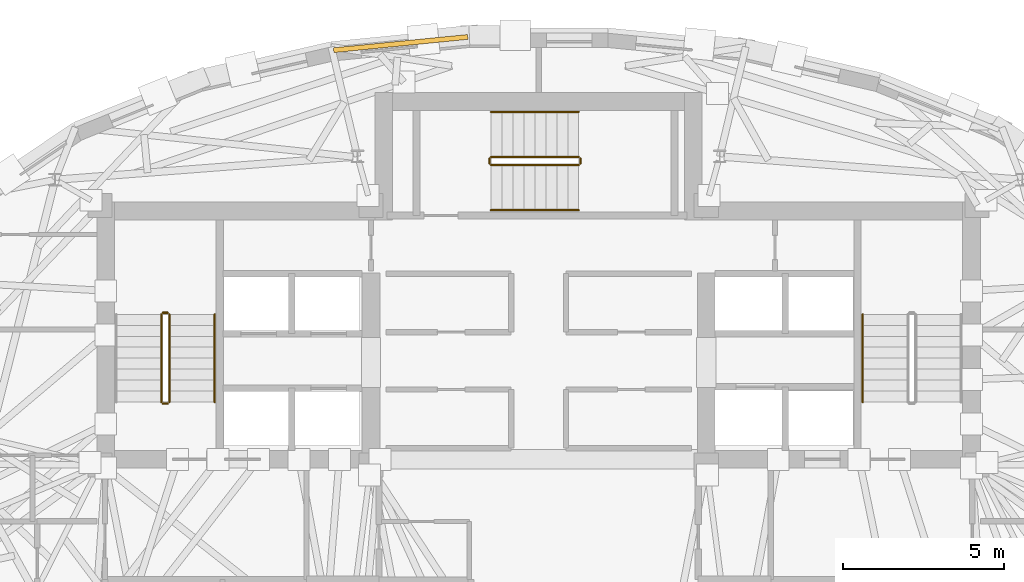
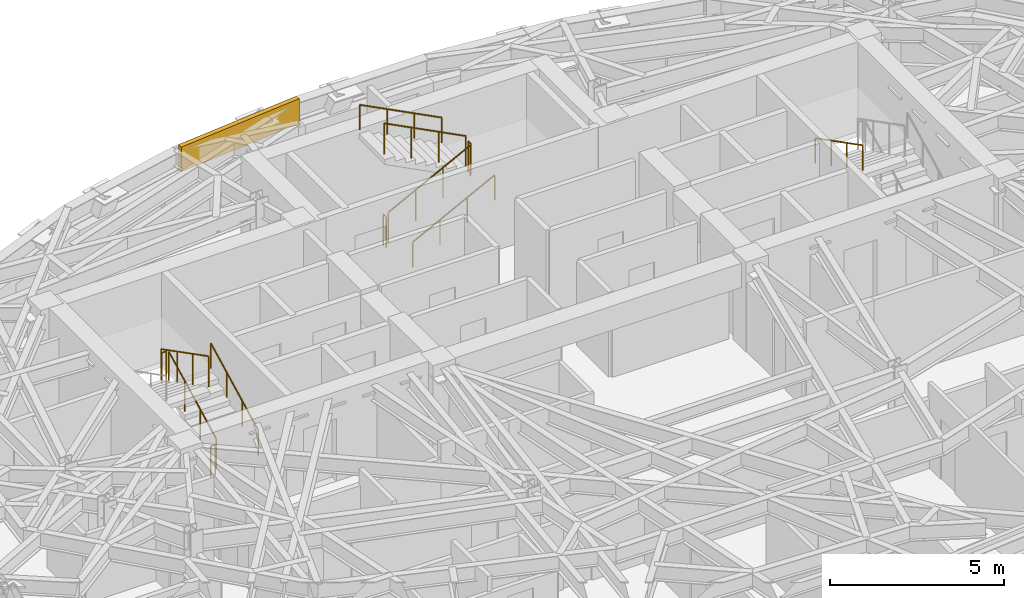
# One storey, part 12 of 13: 12 railings, 1 covering.
"""IFC4 building model written with IfcOpenShell, lengths in metres."""

from ifc_helpers import new_model, si_unit, direction, frame, origin, origin_2d, place, context, subcontext, project, spatial, rectangle, circle, extrude, material, layer, layer_set, type_object, element, save


model = new_model("IFC4")

# Units and contexts
model_context = context("Model", 3, precision=1e-05, world=origin(), true_north=direction((0.0, 1.0)))
body_context = subcontext(model_context, "Body", "Model", "MODEL_VIEW")
ifc_project = project(units=[si_unit("LENGTHUNIT", "METRE"), si_unit("AREAUNIT", "SQUARE_METRE"), si_unit("VOLUMEUNIT", "CUBIC_METRE"), si_unit("PLANEANGLEUNIT", "RADIAN"), si_unit("MASSUNIT", "GRAM", prefix="KILO")], contexts=[model_context])

# Site, building, storey
site_placement = place(None, origin())
site = spatial("IfcSite", under=ifc_project, at=site_placement, CompositionType="ELEMENT")
building_placement = place(site_placement, origin())
building = spatial("IfcBuilding", under=site, at=building_placement, Name="Keldmark Tower", CompositionType="ELEMENT")
storey_placement = place(building_placement, frame((0.0, 0.0, 235.199951171875)))
storey = spatial("IfcBuildingStorey", under=building, at=storey_placement, Name="L66", CompositionType="ELEMENT", Elevation=235.199951171875)

# Covering
ifc_material_1 = material(Name="Honed Kasota Buff Dolomitic Limestone", Category="masonry")
ifc_layer = layer(ifc_material_1, 0.074951171875)
ifc_layer_set = layer_set([ifc_layer], Name="Honed Kasota Buff Dolomitic Limestone")
covering_type = type_object("IfcCoveringType", Name="Kasota Buff Limestone Spandrel Cladding Band", PredefinedType="CLADDING", material=ifc_layer_set)
covering_placement = place(storey_placement, frame((-4.276123046875, 14.467529296875, 2.260009765625), z_axis=(0.0, 0.0, 1.0), x_axis=(-0.995131548634, -0.098555572711, 0.0)))
element("IfcCovering", 1, at=covering_placement, inside=storey, type_object=covering_type, Name="L66 Kasota Limestone Spandrel Band 09", PredefinedType="CLADDING", context=body_context, shape_type="SweptSolid", body=[
    extrude(rectangle(XDim=4.17919921875, YDim=0.14990234375, at=origin_2d()), origin(), (0.0, 0.0, 1.0), 0.8701171875),
])

# Railings
ifc_material_2 = material(Name="Painted Steel ASTM A500 Grade B", Category="steel")
railing_type_1 = type_object("IfcRailingType", Name="Painted Steel Stair Well Guard 1100 mm", PredefinedType="GUARDRAIL", material=ifc_material_2)
railing_1_placement = place(storey_placement, frame((-11.449951171875, 3.35009765625, 0.175048828125)))
element("IfcRailing", 2, at=railing_1_placement, inside=storey, type_object=railing_type_1, Name="L66 ST1 stair guard 1", PredefinedType="GUARDRAIL", context=body_context, shape_type="SweptSolid", body=[
    extrude(circle(Radius=0.02392578125, at=origin_2d()), frame((0.0, 0.0, 1.076171875), z_axis=(0.0, 0.889146794209, 0.457622091194), x_axis=(-1.0, 0.0, 0.0)), (0.0, 0.0, 1.0), 3.05908203125),
    extrude(circle(Radius=0.02099609375, at=origin_2d()), origin(), (0.0, 0.0, 1.0), 1.052001953125),
    extrude(circle(Radius=0.02099609375, at=origin_2d()), frame((0.0, 0.90673828125, 0.466552734375)), (0.0, 0.0, 1.0), 1.052001953125),
    extrude(circle(Radius=0.02099609375, at=origin_2d()), frame((0.0, 1.813232421875, 0.933349609375)), (0.0, 0.0, 1.0), 1.052001953125),
    extrude(circle(Radius=0.02099609375, at=origin_2d()), frame((0.0, 2.719970703125, 1.39990234375)), (0.0, 0.0, 1.0), 1.052001953125),
])
railing_2_placement = place(storey_placement, frame((-11.5, 6.1201171875, 1.574951171875)))
element("IfcRailing", 3, at=railing_2_placement, inside=storey, type_object=railing_type_1, Name="L66 ST1 stair guard 2", PredefinedType="GUARDRAIL", context=body_context, shape_type="SweptSolid", body=[
    extrude(circle(Radius=0.02392578125, at=origin_2d()), frame((0.0, 0.0, 1.076171875), z_axis=(-1.0, 0.0, 0.0), x_axis=(0.0, -1.0, 0.0)), (0.0, 0.0, 1.0), 0.14990234375),
    extrude(circle(Radius=0.02099609375, at=origin_2d()), origin(), (0.0, 0.0, 1.0), 1.052001953125),
    extrude(circle(Radius=0.02099609375, at=origin_2d()), frame((-0.14990234375, 0.0, 0.0)), (0.0, 0.0, 1.0), 1.052001953125),
])
railing_3_placement = place(storey_placement, frame((-11.699951171875, 6.070068359375, 1.75)))
element("IfcRailing", 4, at=railing_3_placement, inside=storey, type_object=railing_type_1, Name="L66 ST1 stair guard 3", PredefinedType="GUARDRAIL", context=body_context, shape_type="SweptSolid", body=[
    extrude(circle(Radius=0.02392578125, at=origin_2d()), frame((0.0, 0.0, 1.076171875), z_axis=(0.0, -0.889114319608, 0.457685182924), x_axis=(1.0, 0.0, 0.0)), (0.0, 0.0, 1.0), 3.05908203125),
    extrude(circle(Radius=0.02099609375, at=origin_2d()), origin(), (0.0, 0.0, 1.0), 1.052001953125),
    extrude(circle(Radius=0.02099609375, at=origin_2d()), frame((0.0, -0.90673828125, 0.466796875)), (0.0, 0.0, 1.0), 1.052001953125),
    extrude(circle(Radius=0.02099609375, at=origin_2d()), frame((0.0, -1.813232421875, 0.933349609375)), (0.0, 0.0, 1.0), 1.052001953125),
    extrude(circle(Radius=0.02099609375, at=origin_2d()), frame((0.0, -2.719970703125, 1.400146484375)), (0.0, 0.0, 1.0), 1.052001953125),
])
railing_4_placement = place(storey_placement, frame((-11.5, 3.300048828125, 0.0)))
element("IfcRailing", 5, at=railing_4_placement, inside=storey, type_object=railing_type_1, Name="L66 ST1 stair guard 4", PredefinedType="GUARDRAIL", context=body_context, shape_type="SweptSolid", body=[
    extrude(circle(Radius=0.02392578125, at=origin_2d()), frame((0.0, 0.0, 1.076171875), z_axis=(-1.0, 0.0, 0.0), x_axis=(0.0, -1.0, 0.0)), (0.0, 0.0, 1.0), 0.14990234375),
    extrude(circle(Radius=0.02099609375, at=origin_2d()), origin(), (0.0, 0.0, 1.0), 1.052001953125),
    extrude(circle(Radius=0.02099609375, at=origin_2d()), frame((-0.14990234375, 0.0, 0.0)), (0.0, 0.0, 1.0), 1.052001953125),
])
railing_5_placement = place(storey_placement, frame((-1.47509765625, 10.699951171875, 0.175048828125)))
element("IfcRailing", 6, at=railing_5_placement, inside=storey, type_object=railing_type_1, Name="L66 ST3 stair guard 1", PredefinedType="GUARDRAIL", context=body_context, shape_type="SweptSolid", body=[
    extrude(circle(Radius=0.02392578125, at=origin_2d()), frame((0.0, 0.0, 1.076171875), z_axis=(0.88916350577, 0.0, 0.457589619645), x_axis=(0.0, 1.0, 0.0)), (0.0, 0.0, 1.0), 3.059326171875),
    extrude(circle(Radius=0.02099609375, at=origin_2d()), origin(), (0.0, 0.0, 1.0), 1.052001953125),
    extrude(circle(Radius=0.02099609375, at=origin_2d()), frame((0.90673828125, 0.0, 0.466552734375)), (0.0, 0.0, 1.0), 1.052001953125),
    extrude(circle(Radius=0.02099609375, at=origin_2d()), frame((1.8134765625, 0.0, 0.933349609375)), (0.0, 0.0, 1.0), 1.052001953125),
    extrude(circle(Radius=0.02099609375, at=origin_2d()), frame((2.72021484375, 0.0, 1.39990234375)), (0.0, 0.0, 1.0), 1.052001953125),
])
railing_6_placement = place(storey_placement, frame((1.294921875, 10.75, 1.574951171875)))
element("IfcRailing", 7, at=railing_6_placement, inside=storey, type_object=railing_type_1, Name="L66 ST3 stair guard 2", PredefinedType="GUARDRAIL", context=body_context, shape_type="SweptSolid", body=[
    extrude(circle(Radius=0.02392578125, at=origin_2d()), frame((0.0, 0.0, 1.076171875), z_axis=(0.0, 1.0, 0.0), x_axis=(-1.0, 0.0, 0.0)), (0.0, 0.0, 1.0), 0.14990234375),
    extrude(circle(Radius=0.02099609375, at=origin_2d()), origin(), (0.0, 0.0, 1.0), 1.052001953125),
    extrude(circle(Radius=0.02099609375, at=origin_2d()), frame((0.0, 0.14990234375, 0.0)), (0.0, 0.0, 1.0), 1.052001953125),
])
railing_7_placement = place(storey_placement, frame((1.2451171875, 10.949951171875, 1.75)))
element("IfcRailing", 8, at=railing_7_placement, inside=storey, type_object=railing_type_1, Name="L66 ST3 stair guard 3", PredefinedType="GUARDRAIL", context=body_context, shape_type="SweptSolid", body=[
    extrude(circle(Radius=0.02392578125, at=origin_2d()), frame((0.0, 0.0, 1.076171875), z_axis=(-0.889131035167, 0.0, 0.45765270927), x_axis=(0.0, -1.0, 0.0)), (0.0, 0.0, 1.0), 3.059326171875),
    extrude(circle(Radius=0.02099609375, at=origin_2d()), origin(), (0.0, 0.0, 1.0), 1.052001953125),
    extrude(circle(Radius=0.02099609375, at=origin_2d()), frame((-0.90673828125, 0.0, 0.466796875)), (0.0, 0.0, 1.0), 1.052001953125),
    extrude(circle(Radius=0.02099609375, at=origin_2d()), frame((-1.8134765625, 0.0, 0.933349609375)), (0.0, 0.0, 1.0), 1.052001953125),
    extrude(circle(Radius=0.02099609375, at=origin_2d()), frame((-2.72021484375, 0.0, 1.400146484375)), (0.0, 0.0, 1.0), 1.052001953125),
])
railing_8_placement = place(storey_placement, frame((-1.52490234375, 10.75, 0.0)))
element("IfcRailing", 9, at=railing_8_placement, inside=storey, type_object=railing_type_1, Name="L66 ST3 stair guard 4", PredefinedType="GUARDRAIL", context=body_context, shape_type="SweptSolid", body=[
    extrude(circle(Radius=0.02392578125, at=origin_2d()), frame((0.0, 0.0, 1.076171875), z_axis=(0.0, 1.0, 0.0), x_axis=(-1.0, 0.0, 0.0)), (0.0, 0.0, 1.0), 0.14990234375),
    extrude(circle(Radius=0.02099609375, at=origin_2d()), origin(), (0.0, 0.0, 1.0), 1.052001953125),
    extrude(circle(Radius=0.02099609375, at=origin_2d()), frame((0.0, 0.14990234375, 0.0)), (0.0, 0.0, 1.0), 1.052001953125),
])
ifc_material_3 = material(Name="Stainless Steel AISI 316L", Category="steel")
railing_type_2 = type_object("IfcRailingType", Name="Stainless Steel Stair Handrail 900 mm", PredefinedType="HANDRAIL", material=ifc_material_3)
railing_9_placement = place(storey_placement, frame((-10.050048828125, 3.35009765625, 0.175048828125)))
element("IfcRailing", 10, at=railing_9_placement, inside=storey, type_object=railing_type_2, Name="L66 ST1 stair handrail 1", PredefinedType="HANDRAIL", context=body_context, shape_type="SweptSolid", body=[
    extrude(circle(Radius=0.02392578125, at=origin_2d()), frame((0.0, 0.0, 0.8759765625), z_axis=(0.0, 0.889146794209, 0.457622091194), x_axis=(-1.0, 0.0, 0.0)), (0.0, 0.0, 1.0), 3.05908203125),
    extrude(circle(Radius=0.02099609375, at=origin_2d()), origin(), (0.0, 0.0, 1.0), 0.851806640625),
    extrude(circle(Radius=0.02099609375, at=origin_2d()), frame((0.0, 0.90673828125, 0.466552734375)), (0.0, 0.0, 1.0), 0.851806640625),
    extrude(circle(Radius=0.02099609375, at=origin_2d()), frame((0.0, 1.813232421875, 0.933349609375)), (0.0, 0.0, 1.0), 0.851806640625),
    extrude(circle(Radius=0.02099609375, at=origin_2d()), frame((0.0, 2.719970703125, 1.39990234375)), (0.0, 0.0, 1.0), 0.851806640625),
])
railing_10_placement = place(storey_placement, frame((10.050048828125, 6.070068359375, 1.75)))
element("IfcRailing", 11, at=railing_10_placement, inside=storey, type_object=railing_type_2, Name="L66 ST2 stair handrail 2", PredefinedType="HANDRAIL", context=body_context, shape_type="SweptSolid", body=[
    extrude(circle(Radius=0.02392578125, at=origin_2d()), frame((0.0, 0.0, 0.8759765625), z_axis=(0.0, -0.889114319608, 0.457685182924), x_axis=(1.0, 0.0, 0.0)), (0.0, 0.0, 1.0), 3.05908203125),
    extrude(circle(Radius=0.02099609375, at=origin_2d()), origin(), (0.0, 0.0, 1.0), 0.851806640625),
    extrude(circle(Radius=0.02099609375, at=origin_2d()), frame((0.0, -0.90673828125, 0.466796875)), (0.0, 0.0, 1.0), 0.851806640625),
    extrude(circle(Radius=0.02099609375, at=origin_2d()), frame((0.0, -1.813232421875, 0.933349609375)), (0.0, 0.0, 1.0), 0.851806640625),
    extrude(circle(Radius=0.02099609375, at=origin_2d()), frame((0.0, -2.719970703125, 1.400146484375)), (0.0, 0.0, 1.0), 0.851806640625),
])
railing_11_placement = place(storey_placement, frame((-1.47509765625, 9.300048828125, 0.175048828125)))
element("IfcRailing", 12, at=railing_11_placement, inside=storey, type_object=railing_type_2, Name="L66 ST3 stair handrail 1", PredefinedType="HANDRAIL", context=body_context, shape_type="SweptSolid", body=[
    extrude(circle(Radius=0.02392578125, at=origin_2d()), frame((0.0, 0.0, 0.8759765625), z_axis=(0.88916350577, 0.0, 0.457589619645), x_axis=(0.0, 1.0, 0.0)), (0.0, 0.0, 1.0), 3.059326171875),
    extrude(circle(Radius=0.02099609375, at=origin_2d()), origin(), (0.0, 0.0, 1.0), 0.851806640625),
    extrude(circle(Radius=0.02099609375, at=origin_2d()), frame((0.90673828125, 0.0, 0.466552734375)), (0.0, 0.0, 1.0), 0.851806640625),
    extrude(circle(Radius=0.02099609375, at=origin_2d()), frame((1.8134765625, 0.0, 0.933349609375)), (0.0, 0.0, 1.0), 0.851806640625),
    extrude(circle(Radius=0.02099609375, at=origin_2d()), frame((2.72021484375, 0.0, 1.39990234375)), (0.0, 0.0, 1.0), 0.851806640625),
])
railing_12_placement = place(storey_placement, frame((1.2451171875, 12.35009765625, 1.75)))
element("IfcRailing", 13, at=railing_12_placement, inside=storey, type_object=railing_type_2, Name="L66 ST3 stair handrail 2", PredefinedType="HANDRAIL", context=body_context, shape_type="SweptSolid", body=[
    extrude(circle(Radius=0.02392578125, at=origin_2d()), frame((0.0, 0.0, 0.8759765625), z_axis=(-0.889131035167, 0.0, 0.45765270927), x_axis=(0.0, -1.0, 0.0)), (0.0, 0.0, 1.0), 3.059326171875),
    extrude(circle(Radius=0.02099609375, at=origin_2d()), origin(), (0.0, 0.0, 1.0), 0.851806640625),
    extrude(circle(Radius=0.02099609375, at=origin_2d()), frame((-0.90673828125, 0.0, 0.466796875)), (0.0, 0.0, 1.0), 0.851806640625),
    extrude(circle(Radius=0.02099609375, at=origin_2d()), frame((-1.8134765625, 0.0, 0.933349609375)), (0.0, 0.0, 1.0), 0.851806640625),
    extrude(circle(Radius=0.02099609375, at=origin_2d()), frame((-2.72021484375, 0.0, 1.400146484375)), (0.0, 0.0, 1.0), 0.851806640625),
])

save(model, "model.ifc")
